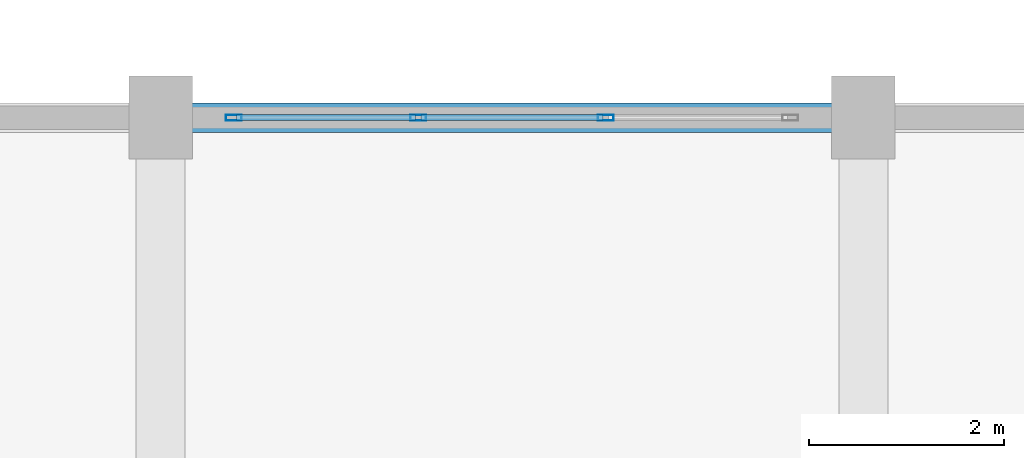
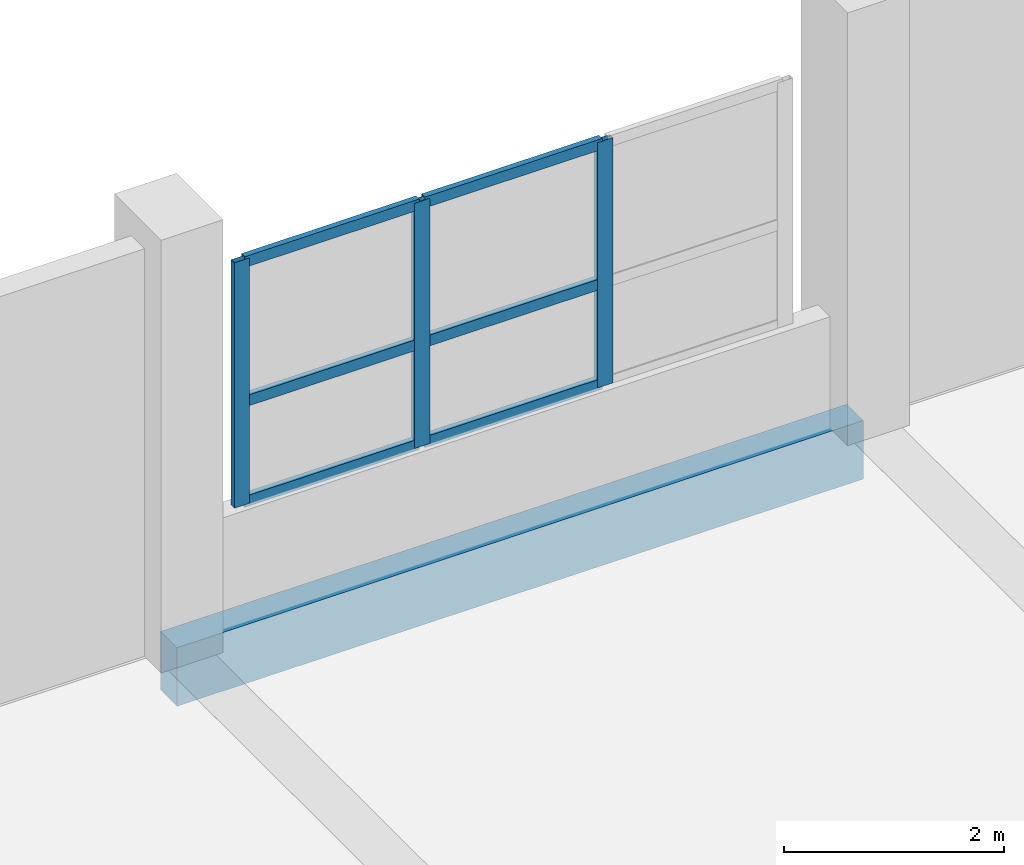
# One storey, part 79 of 140: 9 members, 1 beam, 1 element without a shape of its own.
"""IFC4 building model written with IfcOpenShell, lengths in metres."""

import ifcopenshell
import ifcopenshell.guid

model = None  # the IFC model being written
_history = None  # IfcOwnerHistory: only IFC2X3 demands one
_inside = {}  # id of a spatial element -> (the spatial element, [elements in it])
_under = {}  # id of a project, library or spatial element -> (it, [spatial elements below it])
_declared = {}  # id of a project -> (the project, [libraries it declares])
_typed = {}  # id of a type object -> (the type object, [elements of that type])
_made_of = {}  # id of a material, layer set ... -> (it, [elements and type objects made of it])


def new_model(schema):
    """Start an empty IFC model of exactly this schema.

    Asked for "IFC4X3", IfcOpenShell would pick the latest addendum, in which some entities
    have other attributes; the version numbers below select the first issue.
    IFC2X3 requires an IfcOwnerHistory on every rooted entity: one is made here for all.
    """
    global model, _history
    if schema == "IFC4X3":
        model = ifcopenshell.file(schema_version=(4, 3, 0, 0))
    else:
        model = ifcopenshell.file(schema=schema)
    _inside.clear()
    _under.clear()
    _declared.clear()
    _typed.clear()
    _made_of.clear()
    _history = None
    if model.schema == "IFC2X3":
        org = make("IfcOrganization", Name="unknown")
        user = make(
            "IfcPersonAndOrganization",
            ThePerson=make("IfcPerson", FamilyName="unknown"),
            TheOrganization=org,
        )
        app = make(
            "IfcApplication",
            ApplicationDeveloper=org,
            Version="unknown",
            ApplicationFullName="unknown",
            ApplicationIdentifier="unknown",
        )
        _history = make(
            "IfcOwnerHistory",
            OwningUser=user,
            OwningApplication=app,
            ChangeAction="ADDED",
            CreationDate=0,
        )
    return model


def make(cls, **values):
    """One entity of the class cls with the attributes given. An attribute that is None is left unset."""
    return model.create_entity(
        cls, **{name: value for name, value in values.items() if value is not None}
    )


def rooted(cls, **values):
    """An entity with a GlobalId (a new one), such as an element, a storey or a relation."""
    return make(cls, GlobalId=ifcopenshell.guid.new(), OwnerHistory=_history, **values)


def si_unit(unit_type, name, prefix=None):
    """IfcSIUnit, for example si_unit("LENGTHUNIT", "METRE", prefix="MILLI")."""
    return make("IfcSIUnit", UnitType=unit_type, Prefix=prefix, Name=name)


def assignment(units):
    """IfcUnitAssignment: the units of a project."""
    return None if units is None else make("IfcUnitAssignment", Units=units)


def point(xyz):
    """IfcCartesianPoint."""
    return None if xyz is None else make("IfcCartesianPoint", Coordinates=xyz)


def direction(xyz):
    """IfcDirection."""
    return None if xyz is None else make("IfcDirection", DirectionRatios=xyz)


def frame(location, z_axis=None, x_axis=None):
    """IfcAxis2Placement3D, a coordinate frame: its origin and axes. An axis left out is left unset."""
    return make(
        "IfcAxis2Placement3D",
        Location=point(location),
        Axis=direction(z_axis),
        RefDirection=direction(x_axis),
    )


def frame_2d(location, x_axis=None):
    """IfcAxis2Placement2D, a coordinate frame in the plane: its origin and x axis."""
    return make(
        "IfcAxis2Placement2D", Location=point(location), RefDirection=direction(x_axis)
    )


def origin():
    """The frame at (0, 0, 0) with its axes left unset."""
    return frame((0.0, 0.0, 0.0))


def origin_2d():
    """The frame at (0, 0) in the plane with its x axis left unset."""
    return frame_2d((0.0, 0.0))


def place(relative_to, where):
    """IfcLocalPlacement: puts the frame where relative to a parent placement (None: the world)."""
    return make(
        "IfcLocalPlacement", PlacementRelTo=relative_to, RelativePlacement=where
    )


def context(
    kind, dimensions, precision=None, world=None, true_north=None, identifier=None
):
    """IfcGeometricRepresentationContext, for example the 3D "Model" context."""
    return make(
        "IfcGeometricRepresentationContext",
        ContextIdentifier=identifier,
        ContextType=kind,
        CoordinateSpaceDimension=dimensions,
        Precision=precision,
        WorldCoordinateSystem=world,
        TrueNorth=true_north,
    )


def subcontext(parent, identifier, kind, view, scale=None):
    """IfcGeometricRepresentationSubContext, for example "Body" below "Model"."""
    return make(
        "IfcGeometricRepresentationSubContext",
        ContextIdentifier=identifier,
        ContextType=kind,
        ParentContext=parent,
        TargetScale=scale,
        TargetView=view,
    )


def project(units=None, contexts=None):
    """IfcProject with its units and contexts."""
    return rooted(
        "IfcProject",
        Name="project",
        RepresentationContexts=contexts,
        UnitsInContext=assignment(units),
    )


def spatial(cls, under=None, at=None, **own):
    """A site, building, storey or space (cls), placed at a placement, below another one or the project."""
    s = rooted(cls, ObjectPlacement=at, **own)
    if under is not None:
        _under.setdefault(under.id(), (under, []))[1].append(s)
    return s


def profile(cls, at=None, kind="AREA", **sizes):
    """A parametric profile (cls). Its sizes go by their IFC names, for example OverallWidth=200.0."""
    return make(cls, ProfileType=kind, Position=at, **sizes)


def rectangle(**sizes):
    """IfcRectangleProfileDef."""
    return profile("IfcRectangleProfileDef", **sizes)


def hollow_rectangle(**sizes):
    """IfcRectangleHollowProfileDef."""
    return profile("IfcRectangleHollowProfileDef", **sizes)


def extrude(swept, where, along, depth):
    """IfcExtrudedAreaSolid: the profile swept, set in the frame where, extruded along a direction by depth."""
    return make(
        "IfcExtrudedAreaSolid",
        SweptArea=swept,
        Position=where,
        ExtrudedDirection=direction(along),
        Depth=depth,
    )


def shape(context_of_items, identifier, shape_type, items):
    """IfcShapeRepresentation: the items that make up one representation, for example the "Body"."""
    return make(
        "IfcShapeRepresentation",
        ContextOfItems=context_of_items,
        RepresentationIdentifier=identifier,
        RepresentationType=shape_type,
        Items=items,
    )


def material(Name=None, Category=None):
    """IfcMaterial."""
    return make("IfcMaterial", Name=Name, Category=Category)


def layer(
    of_material, thickness, ventilated=None, Name=None, Category=None, Priority=None
):
    """IfcMaterialLayer: one layer of a wall or slab, of a material (None: an air gap)."""
    return make(
        "IfcMaterialLayer",
        Material=of_material,
        LayerThickness=thickness,
        IsVentilated=ventilated,
        Name=Name,
        Category=Category,
        Priority=Priority,
    )


def layer_set(layers, Name=None):
    """IfcMaterialLayerSet."""
    return make("IfcMaterialLayerSet", MaterialLayers=layers, LayerSetName=Name)


def material_profile(
    of_material, cross_section, Name=None, Category=None, Priority=None
):
    """IfcMaterialProfile: a cross section and its material."""
    return make(
        "IfcMaterialProfile",
        Name=Name,
        Material=of_material,
        Profile=cross_section,
        Priority=Priority,
        Category=Category,
    )


def profile_set(profiles, Name=None, composite=None):
    """IfcMaterialProfileSet."""
    return make(
        "IfcMaterialProfileSet",
        Name=Name,
        MaterialProfiles=profiles,
        CompositeProfile=composite,
    )


def made_of(thing, what):
    """Note that an element or type object is made of a material, layer set ...; save() writes the relation."""
    if what is not None:
        _made_of.setdefault(what.id(), (what, []))[1].append(thing)
    return thing


def type_object(cls, material=None, **own):
    """A type object (cls), such as IfcWallType, which elements share."""
    return made_of(rooted(cls, **own), material)


def element(
    cls,
    number,
    at=None,
    inside=None,
    cuts=None,
    type_object=None,
    material=None,
    context=None,
    identifier="Body",
    shape_type=None,
    held_by="IfcProductDefinitionShape",
    body=None,
    shapes=None,
    **own,
):
    """One element of the class cls, such as IfcWall. Its Tag is "e" and its number.

    at: its placement. inside: the storey or other place that contains it. cuts: it is an
    opening in that element (IfcRelVoidsElement). A single representation is given by context,
    identifier, shape_type and body (its items); several are given by shapes. held_by: the class
    of the entity that holds the representations. save() writes the other relations.
    """
    e = rooted(cls, Tag="e%d" % number, ObjectPlacement=at, **own)
    if body is not None:
        shapes = [shape(context, identifier, shape_type, body)]
    if shapes is not None:
        e.Representation = make(held_by, Representations=shapes)
    if inside is not None:
        _inside.setdefault(inside.id(), (inside, []))[1].append(e)
    if cuts is not None:
        rooted(
            "IfcRelVoidsElement", RelatingBuildingElement=cuts, RelatedOpeningElement=e
        )
    if type_object is not None:
        _typed.setdefault(type_object.id(), (type_object, []))[1].append(e)
    return made_of(e, material)


def aggregate(whole, parts):
    """IfcRelAggregates: a whole, such as a stair, and the parts it consists of."""
    return rooted("IfcRelAggregates", RelatingObject=whole, RelatedObjects=parts)


def save(model, path):
    """Write the relations noted so far, then the file.

    IfcRelAggregates (storeys below a building ...), IfcRelContainedInSpatialStructure (elements
    in a storey), IfcRelDefinesByType, IfcRelAssociatesMaterial and IfcRelDeclares: one each for
    every whole, place, type object, material and project.
    """
    for whole, parts in _under.values():
        aggregate(whole, parts)
    for where, things in _inside.values():
        rooted(
            "IfcRelContainedInSpatialStructure",
            RelatedElements=things,
            RelatingStructure=where,
        )
    for kind, things in _typed.values():
        rooted("IfcRelDefinesByType", RelatedObjects=things, RelatingType=kind)
    for what, things in _made_of.values():
        rooted("IfcRelAssociatesMaterial", RelatedObjects=things, RelatingMaterial=what)
    for by, libraries in _declared.values():
        rooted("IfcRelDeclares", RelatingContext=by, RelatedDefinitions=libraries)
    model.write(path)


model = new_model("IFC4")

# Units and contexts
model_context = context("Model", 3, precision=1e-05, world=origin(), true_north=direction((0.0, 1.0)))
body_context = subcontext(model_context, "Body", "Model", "MODEL_VIEW")
ifc_project = project(units=[si_unit("LENGTHUNIT", "METRE"), si_unit("AREAUNIT", "SQUARE_METRE"), si_unit("VOLUMEUNIT", "CUBIC_METRE"), si_unit("PLANEANGLEUNIT", "RADIAN"), si_unit("MASSUNIT", "GRAM", prefix="KILO")], contexts=[model_context])

# Site, building, storey
site_placement = place(None, origin())
site = spatial("IfcSite", under=ifc_project, at=site_placement, CompositionType="ELEMENT")
building_placement = place(site_placement, origin())
building = spatial("IfcBuilding", under=site, at=building_placement, Name="Seraya Terrace Polytechnic", CompositionType="ELEMENT")
storey_placement = place(building_placement, frame((0.0, 0.0, 9.60009765625)))
storey = spatial("IfcBuildingStorey", under=building, at=storey_placement, Name="L02", CompositionType="ELEMENT", Elevation=9.60009765625)

# Curtain wall, members
ifc_material_1 = material(Name="Anodised aluminium EN AW-6063 T6", Category="aluminium")
ifc_layer = layer(ifc_material_1, 0.179931640625, Name="CW-23")
ifc_layer_set = layer_set([ifc_layer], Name="Anodised aluminium EN AW-6063 T6")
curtain_wall_type = type_object("IfcCurtainWallType", Name="CW-23", PredefinedType="NOTDEFINED", material=ifc_layer_set)
curtain_wall_placement = place(storey_placement, origin())
curtain_wall = element("IfcCurtainWall", 1, at=curtain_wall_placement, inside=storey, type_object=curtain_wall_type, Name="Unitised curtain wall CW-23 (CW-L02-095)", PredefinedType="NOTDEFINED")
ifc_material_profile_1 = material_profile(ifc_material_1, hollow_rectangle(XDim=0.06005859375, YDim=0.159912109375, WallThickness=0.00341796875, at=origin_2d()), Name="RHS 160x60x3.5")
ifc_profile_set_1 = profile_set([ifc_material_profile_1], Name="Anodised aluminium EN AW-6063 T6")
member_type_1 = type_object("IfcMemberType", Name="CWM-02", PredefinedType="MULLION", material=ifc_profile_set_1)
member_1_placement = place(storey_placement, frame((123.14990234375, 115.199951171875, 1.239990234375), z_axis=(0.0, 0.0, 1.0), x_axis=(0.0, 1.0, 0.0)))
member_1 = element("IfcMember", 2, at=member_1_placement, type_object=member_type_1, Name="CW-23 mullion 1", PredefinedType="MULLION", context=body_context, shape_type="SweptSolid", body=[
    extrude(hollow_rectangle(XDim=0.06005859375, YDim=0.159912109375, WallThickness=0.00341796875, at=origin_2d()), origin(), (0.0, 0.0, 1.0), 2.719970703125),
])
member_2_placement = place(storey_placement, frame((125.0400390625, 115.199951171875, 1.239990234375), z_axis=(0.0, 0.0, 1.0), x_axis=(0.0, 1.0, 0.0)))
member_2 = element("IfcMember", 3, at=member_2_placement, type_object=member_type_1, Name="CW-23 mullion 2", PredefinedType="MULLION", context=body_context, shape_type="SweptSolid", body=[
    extrude(hollow_rectangle(XDim=0.06005859375, YDim=0.159912109375, WallThickness=0.00341796875, at=origin_2d()), origin(), (0.0, 0.0, 1.0), 2.719970703125),
])
member_3_placement = place(storey_placement, frame((126.9599609375, 115.199951171875, 1.239990234375), z_axis=(0.0, 0.0, 1.0), x_axis=(0.0, 1.0, 0.0)))
member_3 = element("IfcMember", 4, at=member_3_placement, type_object=member_type_1, Name="CW-23 mullion 3", PredefinedType="MULLION", context=body_context, shape_type="SweptSolid", body=[
    extrude(hollow_rectangle(XDim=0.06005859375, YDim=0.159912109375, WallThickness=0.00341796875, at=origin_2d()), origin(), (0.0, 0.0, 1.0), 2.719970703125),
])
ifc_material_profile_2 = material_profile(ifc_material_1, hollow_rectangle(XDim=0.06005859375, YDim=0.1201171875, WallThickness=0.003173828125, at=origin_2d()), Name="RHS 120x60x3.2")
ifc_profile_set_2 = profile_set([ifc_material_profile_2], Name="Anodised aluminium EN AW-6063 T6")
member_type_2 = type_object("IfcMemberType", Name="CWT-02", PredefinedType="USERDEFINED", material=ifc_profile_set_2)
member_4_placement = place(storey_placement, frame((123.179931640625, 115.199951171875, 1.27001953125), z_axis=(1.0, 0.0, 0.0), x_axis=(0.0, 1.0, 0.0)))
member_4 = element("IfcMember", 5, at=member_4_placement, type_object=member_type_2, Name="CW-23 transom 1.1", ObjectType="TRANSOM", PredefinedType="USERDEFINED", context=body_context, shape_type="SweptSolid", body=[
    extrude(hollow_rectangle(XDim=0.06005859375, YDim=0.1201171875, WallThickness=0.003173828125, at=origin_2d()), origin(), (0.0, 0.0, 1.0), 1.830078125),
])
member_5_placement = place(storey_placement, frame((123.179931640625, 115.199951171875, 2.38232421875), z_axis=(1.0, 0.0, 0.0), x_axis=(0.0, 1.0, 0.0)))
member_5 = element("IfcMember", 6, at=member_5_placement, type_object=member_type_2, Name="CW-23 transom 1.2", ObjectType="TRANSOM", PredefinedType="USERDEFINED", context=body_context, shape_type="SweptSolid", body=[
    extrude(hollow_rectangle(XDim=0.06005859375, YDim=0.1201171875, WallThickness=0.003173828125, at=origin_2d()), origin(), (0.0, 0.0, 1.0), 1.830078125),
])
member_6_placement = place(storey_placement, frame((123.179931640625, 115.199951171875, 3.929931640625), z_axis=(1.0, 0.0, 0.0), x_axis=(0.0, 1.0, 0.0)))
member_6 = element("IfcMember", 7, at=member_6_placement, type_object=member_type_2, Name="CW-23 transom 1.3", ObjectType="TRANSOM", PredefinedType="USERDEFINED", context=body_context, shape_type="SweptSolid", body=[
    extrude(hollow_rectangle(XDim=0.06005859375, YDim=0.1201171875, WallThickness=0.003173828125, at=origin_2d()), origin(), (0.0, 0.0, 1.0), 1.830078125),
])
member_7_placement = place(storey_placement, frame((125.070068359375, 115.199951171875, 1.27001953125), z_axis=(1.0, 0.0, 0.0), x_axis=(0.0, 1.0, 0.0)))
member_7 = element("IfcMember", 8, at=member_7_placement, type_object=member_type_2, Name="CW-23 transom 2.1", ObjectType="TRANSOM", PredefinedType="USERDEFINED", context=body_context, shape_type="SweptSolid", body=[
    extrude(hollow_rectangle(XDim=0.06005859375, YDim=0.1201171875, WallThickness=0.003173828125, at=origin_2d()), origin(), (0.0, 0.0, 1.0), 1.85986328125),
])
member_8_placement = place(storey_placement, frame((125.070068359375, 115.199951171875, 2.38232421875), z_axis=(1.0, 0.0, 0.0), x_axis=(0.0, 1.0, 0.0)))
member_8 = element("IfcMember", 9, at=member_8_placement, type_object=member_type_2, Name="CW-23 transom 2.2", ObjectType="TRANSOM", PredefinedType="USERDEFINED", context=body_context, shape_type="SweptSolid", body=[
    extrude(hollow_rectangle(XDim=0.06005859375, YDim=0.1201171875, WallThickness=0.003173828125, at=origin_2d()), origin(), (0.0, 0.0, 1.0), 1.85986328125),
])
member_9_placement = place(storey_placement, frame((125.070068359375, 115.199951171875, 3.929931640625), z_axis=(1.0, 0.0, 0.0), x_axis=(0.0, 1.0, 0.0)))
member_9 = element("IfcMember", 10, at=member_9_placement, type_object=member_type_2, Name="CW-23 transom 2.3", ObjectType="TRANSOM", PredefinedType="USERDEFINED", context=body_context, shape_type="SweptSolid", body=[
    extrude(hollow_rectangle(XDim=0.06005859375, YDim=0.1201171875, WallThickness=0.003173828125, at=origin_2d()), origin(), (0.0, 0.0, 1.0), 1.85986328125),
])
aggregate(curtain_wall, [member_1, member_2, member_3, member_4, member_5, member_6, member_7, member_8, member_9])

# Beam
ifc_material_2 = material(Name="Concrete C40/50", Category="concrete")
ifc_material_profile_3 = material_profile(ifc_material_2, rectangle(XDim=0.300048828125, YDim=0.64990234375, at=origin_2d()), Name="RC 300x650")
ifc_profile_set_3 = profile_set([ifc_material_profile_3], Name="Concrete C40/50")
beam_type = type_object("IfcBeamType", Name="SP-01", PredefinedType="SPANDREL", material=ifc_profile_set_3)
beam_placement = place(storey_placement, frame((122.39990234375, 115.199951171875, -0.3251953125), z_axis=(1.0, 0.0, 0.0), x_axis=(0.0, 1.0, 0.0)))
element("IfcBeam", 11, at=beam_placement, inside=storey, type_object=beam_type, Name="Beam SP-01 L02 X (122.4..129.6, 115.2)", PredefinedType="SPANDREL", context=body_context, shape_type="SweptSolid", body=[
    extrude(rectangle(XDim=0.300048828125, YDim=0.64990234375, at=origin_2d()), origin(), (0.0, 0.0, 1.0), 7.2001953125),
])

save(model, "model.ifc")
